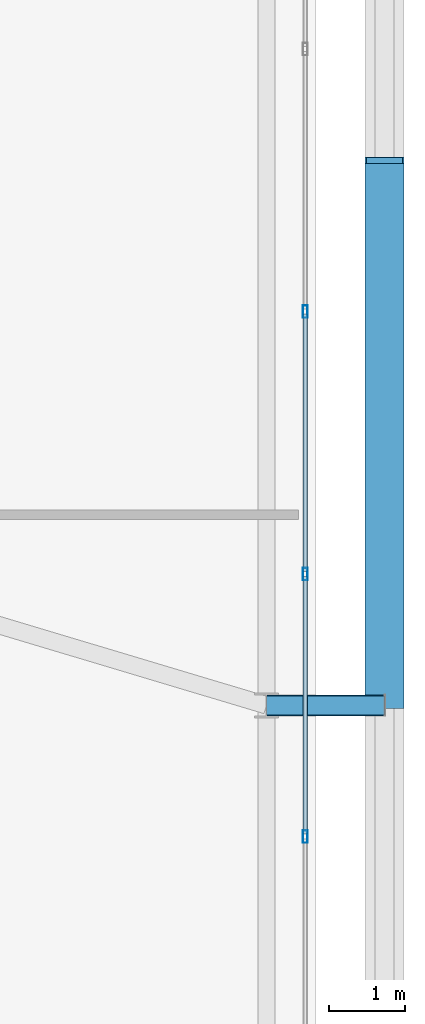
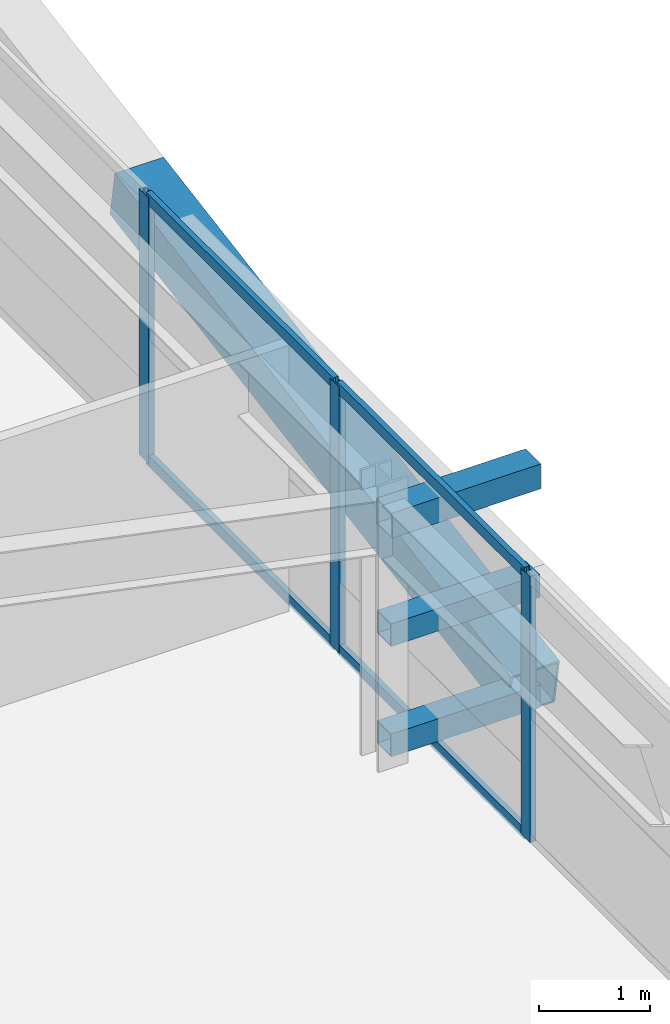
# One storey, part 30 of 58: 11 members, 1 element without a shape of its own.
"""IFC4 building model written with IfcOpenShell, lengths in metres."""

from ifc_helpers import new_model, si_unit, direction, frame, origin, origin_2d, place, context, subcontext, project, spatial, hollow_rectangle, extrude, source, transform, mapped, material, layer, layer_set, material_profile, profile_set, type_object, element, aggregate, save


model = new_model("IFC4")

# Units and contexts
model_context = context("Model", 3, precision=1e-05, world=origin(), true_north=direction((0.0, 1.0)))
body_context = subcontext(model_context, "Body", "Model", "MODEL_VIEW")
ifc_project = project(units=[si_unit("LENGTHUNIT", "METRE"), si_unit("AREAUNIT", "SQUARE_METRE"), si_unit("VOLUMEUNIT", "CUBIC_METRE"), si_unit("PLANEANGLEUNIT", "RADIAN"), si_unit("MASSUNIT", "GRAM", prefix="KILO")], contexts=[model_context])

# Site, building, storey
site_placement = place(None, origin())
site = spatial("IfcSite", under=ifc_project, at=site_placement, CompositionType="ELEMENT")
building_placement = place(site_placement, origin())
building = spatial("IfcBuilding", under=site, at=building_placement, Name="Taldren Reach Tower", CompositionType="ELEMENT")
storey_placement = place(building_placement, frame((0.0, 0.0, 32.550048828125)))
storey = spatial("IfcBuildingStorey", under=building, at=storey_placement, Name="L09", CompositionType="ELEMENT", Elevation=32.550048828125)

# Members
ifc_material_1 = material(Name="Steel Gr 450 (C450L0)", Category="steel")
ifc_material_profile_1 = material_profile(ifc_material_1, hollow_rectangle(XDim=0.27490234375, YDim=0.27490234375, WallThickness=0.00927734375, at=origin_2d()), Name="275x275x9.3SHS")
ifc_profile_set_1 = profile_set([ifc_material_profile_1], Name="Steel Gr 450 (C450L0)")
member_type_1 = type_object("IfcMemberType", Name="MB-TIE273", PredefinedType="STRUT", material=ifc_profile_set_1)
shared_shape_1 = source(origin(), body_context, "Body", "SweptSolid", [
    extrude(hollow_rectangle(XDim=0.27490234375, YDim=0.27490234375, WallThickness=0.00927734375, at=origin_2d()), origin(), (0.0, 0.0, 1.0), 1.5498046875),
])
member_1_placement = place(storey_placement, frame((64.35009765625, 20.0, 2.64990234375), z_axis=(1.0, 0.0, 0.0), x_axis=(0.0, 1.0, 0.0)))
element("IfcMember", 1, at=member_1_placement, inside=storey, type_object=member_type_1, Name="Exoskeleton diaphragm tie strut B1-E2 L09", PredefinedType="STRUT", context=body_context, shape_type="MappedRepresentation", body=[
    mapped(shared_shape_1, transform((0.0, 0.0, 0.0), scale=1.0)),
])
ifc_material_2 = material(Name="Steel Gr 350 (C350L0)", Category="steel")
ifc_material_profile_2 = material_profile(ifc_material_2, hollow_rectangle(XDim=0.25, YDim=0.25, WallThickness=0.010009765625, at=origin_2d()), Name="250x250x10.0SHS")
ifc_profile_set_2 = profile_set([ifc_material_profile_2], Name="Steel Gr 350 (C350L0)")
member_type_2 = type_object("IfcMemberType", Name="MB-POST250", PredefinedType="POST", material=ifc_profile_set_2)
shared_shape_2 = source(origin(), body_context, "Body", "SweptSolid", [
    extrude(hollow_rectangle(XDim=0.25, YDim=0.25, WallThickness=0.010009765625, at=origin_2d()), origin(), (0.0, 0.0, 1.0), 1.5498046875),
])
for number, where, z_axis, x_axis, name in (
    (2, (64.35009765625, 20.0, 0.219970703125), (1.0, 0.0, 0.0), (0.0, 1.0, 0.0), "Exoskeleton base diaphragm tie strut B1-E2 L09"),
    (3, (64.35009765625, 20.0, 1.43505859375), (1.0, 0.0, 0.0), (0.0, 1.0, 0.0), "Exoskeleton mid-tier diaphragm tie B1-E2 L09"),
):
    element("IfcMember", number, at=place(storey_placement, frame(where, z_axis=z_axis, x_axis=x_axis)), inside=storey, type_object=member_type_2, Name=name, PredefinedType="POST", context=body_context, shape_type="MappedRepresentation", body=[
        mapped(shared_shape_2, transform((0.0, 0.0, 0.0), scale=1.0)),
    ])
ifc_material_profile_3 = material_profile(ifc_material_1, hollow_rectangle(XDim=0.510009765625, YDim=0.510009765625, WallThickness=0.02001953125, at=origin_2d()), Name="510x510x20.0SHS")
ifc_profile_set_3 = profile_set([ifc_material_profile_3], Name="Steel Gr 450 (C450L0)")
member_type_3 = type_object("IfcMemberType", Name="MB-EXO508", PredefinedType="BRACE", material=ifc_profile_set_3)
shared_shape_3 = source(origin(), body_context, "Body", "SweptSolid", [
    extrude(hollow_rectangle(XDim=0.510009765625, YDim=0.510009765625, WallThickness=0.02001953125, at=origin_2d()), origin(), (0.0, 0.0, 1.0), 7.25244140625),
])
member_2_placement = place(storey_placement, frame((65.89990234375, 20.0, 0.219970703125), z_axis=(0.0, 0.985864855729, 0.167542490848), x_axis=(-1.0, 0.0, 0.0)))
element("IfcMember", 4, at=member_2_placement, inside=storey, type_object=member_type_3, Name="Exoskeleton Diagrid Brace B1-E2 L09", PredefinedType="BRACE", context=body_context, shape_type="MappedRepresentation", body=[
    mapped(shared_shape_3, transform((0.0, 0.0, 0.0), scale=1.0)),
])

# Curtain wall, members
ifc_material_3 = material(Name="Aluminium and Low-E Glass Unitised System", Category="aluminium")
ifc_layer = layer(ifc_material_3, 0.159912109375)
ifc_layer_set = layer_set([ifc_layer], Name="Aluminium and Low-E Glass Unitised System")
curtain_wall_type = type_object("IfcCurtainWallType", Name="CW-SYS-2", PredefinedType="NOTDEFINED", material=ifc_layer_set)
curtain_wall_placement = place(storey_placement, origin())
curtain_wall = element("IfcCurtainWall", 5, at=curtain_wall_placement, inside=storey, type_object=curtain_wall_type, Name="Unitised curtain wall CW-L09-E", PredefinedType="NOTDEFINED")
ifc_material_4 = material(Name="Anodised Aluminium 6063-T6", Category="aluminium")
ifc_material_profile_4 = material_profile(ifc_material_4, hollow_rectangle(XDim=0.06494140625, YDim=0.1650390625, WallThickness=0.00390625, at=origin_2d()), Name="ALU-165x65x4RHS")
ifc_profile_set_4 = profile_set([ifc_material_profile_4], Name="Anodised Aluminium 6063-T6")
member_type_4 = type_object("IfcMemberType", Name="CW-MUL-165", PredefinedType="MULLION", material=ifc_profile_set_4)
shared_shape_4 = source(origin(), body_context, "Body", "SweptSolid", [
    extrude(hollow_rectangle(XDim=0.06494140625, YDim=0.1650390625, WallThickness=0.00390625, at=origin_2d()), origin(), (0.0, 0.0, 1.0), 2.929931640625),
])
member_3_placement = place(storey_placement, frame((64.860107421875, 18.27783203125, 0.0), z_axis=(0.0, 0.0, 1.0), x_axis=(-1.0, 0.0, 0.0)))
member_3 = element("IfcMember", 6, at=member_3_placement, type_object=member_type_4, Name="CW-2 mullion 5", PredefinedType="MULLION", context=body_context, shape_type="MappedRepresentation", body=[
    mapped(shared_shape_4, transform((0.0, 0.0, 0.0), scale=1.0)),
])
member_4_placement = place(storey_placement, frame((64.860107421875, 21.72216796875, 0.0), z_axis=(0.0, 0.0, 1.0), x_axis=(-1.0, 0.0, 0.0)))
member_4 = element("IfcMember", 7, at=member_4_placement, type_object=member_type_4, Name="CW-2 mullion 6", PredefinedType="MULLION", context=body_context, shape_type="MappedRepresentation", body=[
    mapped(shared_shape_4, transform((0.0, 0.0, 0.0), scale=1.0)),
])
member_5_placement = place(storey_placement, frame((64.860107421875, 25.166748046875, 0.0), z_axis=(0.0, 0.0, 1.0), x_axis=(-1.0, 0.0, 0.0)))
member_5 = element("IfcMember", 8, at=member_5_placement, type_object=member_type_4, Name="CW-2 mullion 7", PredefinedType="MULLION", context=body_context, shape_type="MappedRepresentation", body=[
    mapped(shared_shape_4, transform((0.0, 0.0, 0.0), scale=1.0)),
])
ifc_material_profile_5 = material_profile(ifc_material_4, hollow_rectangle(XDim=0.054931640625, YDim=0.1201171875, WallThickness=0.0029296875, at=origin_2d()), Name="ALU-120x55x3RHS")
ifc_profile_set_5 = profile_set([ifc_material_profile_5], Name="Anodised Aluminium 6063-T6")
member_type_5 = type_object("IfcMemberType", Name="CW-TRN-135", PredefinedType="USERDEFINED", material=ifc_profile_set_5)
shared_shape_5 = source(origin(), body_context, "Body", "SweptSolid", [
    extrude(hollow_rectangle(XDim=0.054931640625, YDim=0.1201171875, WallThickness=0.0029296875, at=origin_2d()), origin(), (0.0, 0.0, 1.0), 3.37939453125),
])
member_6_placement = place(storey_placement, frame((64.860107421875, 18.310302734375, 0.02734375), z_axis=(0.0, 1.0, 0.0), x_axis=(-1.0, 0.0, 0.0)))
member_6 = element("IfcMember", 9, at=member_6_placement, type_object=member_type_5, Name="CW-2 transom 5.1", ObjectType="TRANSOM", PredefinedType="USERDEFINED", context=body_context, shape_type="MappedRepresentation", body=[
    mapped(shared_shape_5, transform((0.0, 0.0, 0.0), scale=1.0)),
])
member_7_placement = place(storey_placement, frame((64.860107421875, 18.310302734375, 2.90234375), z_axis=(0.0, 1.0, 0.0), x_axis=(-1.0, 0.0, 0.0)))
member_7 = element("IfcMember", 10, at=member_7_placement, type_object=member_type_5, Name="CW-2 transom 5.2", ObjectType="TRANSOM", PredefinedType="USERDEFINED", context=body_context, shape_type="MappedRepresentation", body=[
    mapped(shared_shape_5, transform((0.0, 0.0, 0.0), scale=1.0)),
])
shared_shape_6 = source(origin(), body_context, "Body", "SweptSolid", [
    extrude(hollow_rectangle(XDim=0.054931640625, YDim=0.1201171875, WallThickness=0.0029296875, at=origin_2d()), origin(), (0.0, 0.0, 1.0), 3.379638671875),
])
member_8_placement = place(storey_placement, frame((64.860107421875, 21.754638671875, 0.02734375), z_axis=(0.0, 1.0, 0.0), x_axis=(-1.0, 0.0, 0.0)))
member_8 = element("IfcMember", 11, at=member_8_placement, type_object=member_type_5, Name="CW-2 transom 6.1", ObjectType="TRANSOM", PredefinedType="USERDEFINED", context=body_context, shape_type="MappedRepresentation", body=[
    mapped(shared_shape_6, transform((0.0, 0.0, 0.0), scale=1.0)),
])
member_9_placement = place(storey_placement, frame((64.860107421875, 21.754638671875, 2.90234375), z_axis=(0.0, 1.0, 0.0), x_axis=(-1.0, 0.0, 0.0)))
member_9 = element("IfcMember", 12, at=member_9_placement, type_object=member_type_5, Name="CW-2 transom 6.2", ObjectType="TRANSOM", PredefinedType="USERDEFINED", context=body_context, shape_type="MappedRepresentation", body=[
    mapped(shared_shape_6, transform((0.0, 0.0, 0.0), scale=1.0)),
])
aggregate(curtain_wall, [member_3, member_4, member_5, member_6, member_7, member_8, member_9])

save(model, "model.ifc")
